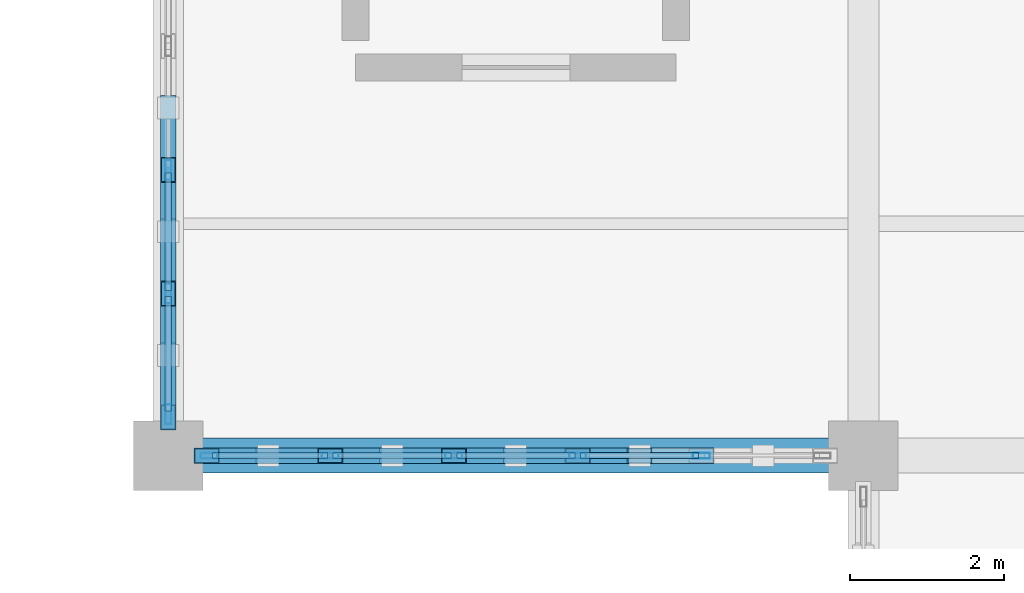
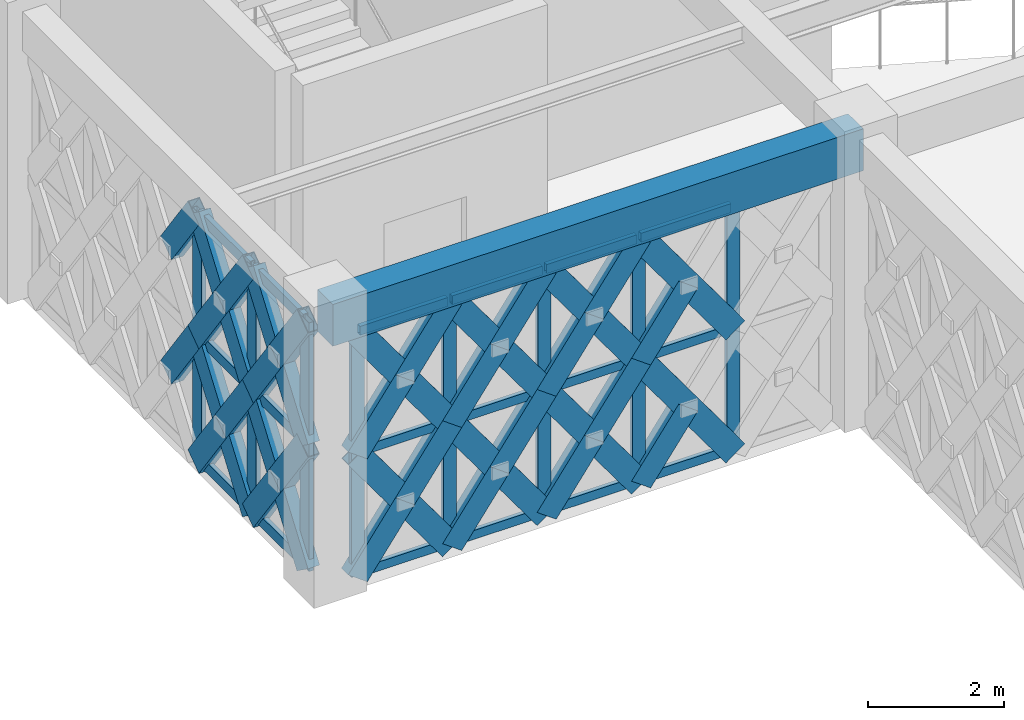
# One storey, part 62 of 155: 62 members, 1 beam, 2 elements without a shape of their own.
"""IFC4 building model written with IfcOpenShell, lengths in metres."""

from ifc_helpers import new_model, si_unit, direction, frame, origin, origin_2d, place, context, subcontext, project, spatial, rectangle, hollow_rectangle, extrude, material, material_profile, profile_set, type_object, element, aggregate, save


model = new_model("IFC4")

# Units and contexts
model_context = context("Model", 3, precision=1e-05, world=origin(), true_north=direction((0.0, 1.0)))
body_context = subcontext(model_context, "Body", "Model", "MODEL_VIEW")
ifc_project = project(units=[si_unit("LENGTHUNIT", "METRE"), si_unit("AREAUNIT", "SQUARE_METRE"), si_unit("VOLUMEUNIT", "CUBIC_METRE"), si_unit("PLANEANGLEUNIT", "RADIAN"), si_unit("MASSUNIT", "GRAM", prefix="KILO")], contexts=[model_context])

# Site, building, storey
site_placement = place(None, origin())
site = spatial("IfcSite", under=ifc_project, at=site_placement, CompositionType="ELEMENT")
building_placement = place(site_placement, origin())
building = spatial("IfcBuilding", under=site, at=building_placement, Name="Haizhuo Lancet Aquarium", CompositionType="ELEMENT")
storey_placement = place(building_placement, frame((0.0, 0.0, 10.800048828125)))
storey = spatial("IfcBuildingStorey", under=building, at=storey_placement, Name="L02", CompositionType="ELEMENT", Elevation=10.800048828125)

# Beam
ifc_material_1 = material(Name="Concrete C40/50", Category="concrete")
ifc_material_profile_1 = material_profile(ifc_material_1, rectangle(XDim=0.449951171875, YDim=0.75, at=origin_2d()), Name="RC-BM 450x750")
ifc_profile_set_1 = profile_set([ifc_material_profile_1], Name="Concrete C40/50")
beam_type = type_object("IfcBeamType", Name="BM-RC-450x750", PredefinedType="BEAM", material=ifc_profile_set_1)
beam_placement = place(storey_placement, frame((-27.0, 36.0, 4.784912109375), z_axis=(1.0, 0.0, 0.0), x_axis=(0.0, 1.0, 0.0)))
element("IfcBeam", 1, at=beam_placement, inside=storey, type_object=beam_type, Name="L02 V5 primary girder BM-L02-V5-002", PredefinedType="BEAM", context=body_context, shape_type="SweptSolid", body=[
    extrude(rectangle(XDim=0.449951171875, YDim=0.75, at=origin_2d()), origin(), (0.0, 0.0, 1.0), 9.0),
])

# Curtain wall, members
ifc_material_2 = material(Name="Aluminium 6063-T6", Category="aluminium")
curtain_wall_type_1 = type_object("IfcCurtainWallType", Name="CWD-8010x4410", PredefinedType="NOTDEFINED", material=ifc_material_2)
curtain_wall_1_placement = place(storey_placement, origin())
curtain_wall_1 = element("IfcCurtainWall", 2, at=curtain_wall_1_placement, inside=storey, type_object=curtain_wall_type_1, Name="L02 curtain wall CW-V5-L02-143", PredefinedType="NOTDEFINED")
ifc_material_profile_2 = material_profile(ifc_material_2, hollow_rectangle(XDim=0.074951171875, YDim=0.219970703125, WallThickness=0.0048828125, at=origin_2d()), Name="ALU-M 75x220x5")
ifc_profile_set_2 = profile_set([ifc_material_profile_2], Name="Aluminium 6063-T6")
member_type_1 = type_object("IfcMemberType", Name="CW-MUL-2", PredefinedType="MULLION", material=ifc_profile_set_2)
member_1_placement = place(storey_placement, frame((-20.096923828125, 36.0, 0.0), z_axis=(0.0, 0.0, 1.0), x_axis=(0.0, -1.0, 0.0)))
member_1 = element("IfcMember", 3, at=member_1_placement, type_object=member_type_1, Name="CWD-80x44 mullion 2", PredefinedType="MULLION", context=body_context, shape_type="SweptSolid", body=[
    extrude(hollow_rectangle(XDim=0.074951171875, YDim=0.219970703125, WallThickness=0.0048828125, at=origin_2d()), origin(), (0.0, 0.0, 1.0), 4.409912109375),
])
member_2_placement = place(storey_placement, frame((-21.698974609375, 36.0, 0.0), z_axis=(0.0, 0.0, 1.0), x_axis=(0.0, -1.0, 0.0)))
member_2 = element("IfcMember", 4, at=member_2_placement, type_object=member_type_1, Name="CWD-80x44 mullion 3", PredefinedType="MULLION", context=body_context, shape_type="SweptSolid", body=[
    extrude(hollow_rectangle(XDim=0.074951171875, YDim=0.219970703125, WallThickness=0.0048828125, at=origin_2d()), origin(), (0.0, 0.0, 1.0), 4.409912109375),
])
member_3_placement = place(storey_placement, frame((-23.301025390625, 36.0, 0.0), z_axis=(0.0, 0.0, 1.0), x_axis=(0.0, -1.0, 0.0)))
member_3 = element("IfcMember", 5, at=member_3_placement, type_object=member_type_1, Name="CWD-80x44 mullion 4", PredefinedType="MULLION", context=body_context, shape_type="SweptSolid", body=[
    extrude(hollow_rectangle(XDim=0.074951171875, YDim=0.219970703125, WallThickness=0.0048828125, at=origin_2d()), origin(), (0.0, 0.0, 1.0), 4.409912109375),
])
member_4_placement = place(storey_placement, frame((-24.903076171875, 36.0, 0.0), z_axis=(0.0, 0.0, 1.0), x_axis=(0.0, -1.0, 0.0)))
member_4 = element("IfcMember", 6, at=member_4_placement, type_object=member_type_1, Name="CWD-80x44 mullion 5", PredefinedType="MULLION", context=body_context, shape_type="SweptSolid", body=[
    extrude(hollow_rectangle(XDim=0.074951171875, YDim=0.219970703125, WallThickness=0.0048828125, at=origin_2d()), origin(), (0.0, 0.0, 1.0), 4.409912109375),
])
member_5_placement = place(storey_placement, frame((-26.468017578125, 36.0, 0.0), z_axis=(0.0, 0.0, 1.0), x_axis=(0.0, -1.0, 0.0)))
member_5 = element("IfcMember", 7, at=member_5_placement, type_object=member_type_1, Name="CWD-80x44 mullion 6", PredefinedType="MULLION", context=body_context, shape_type="SweptSolid", body=[
    extrude(hollow_rectangle(XDim=0.074951171875, YDim=0.219970703125, WallThickness=0.0048828125, at=origin_2d()), origin(), (0.0, 0.0, 1.0), 4.409912109375),
])

curtain_wall_type_2 = type_object("IfcCurtainWallType", Name="CWD-8010x4460", PredefinedType="NOTDEFINED", material=ifc_material_2)
curtain_wall_2_placement = place(storey_placement, origin())
curtain_wall_2 = element("IfcCurtainWall", 8, at=curtain_wall_2_placement, inside=storey, type_object=curtain_wall_type_2, Name="L02 curtain wall CW-V5-L02-144", PredefinedType="NOTDEFINED")
ifc_material_profile_3 = material_profile(ifc_material_2, hollow_rectangle(XDim=0.080078125, YDim=0.260009765625, WallThickness=0.0048828125, at=origin_2d()), Name="ALU-M 80x260x5")
ifc_profile_set_3 = profile_set([ifc_material_profile_3], Name="Aluminium 6063-T6")
member_type_2 = type_object("IfcMemberType", Name="CW-MUL-3", PredefinedType="MULLION", material=ifc_profile_set_3)
member_6_placement = place(storey_placement, frame((-27.0, 36.534912109375, 0.0), z_axis=(0.0, 0.0, 1.0), x_axis=(-1.0, 0.0, 0.0)))
member_6 = element("IfcMember", 9, at=member_6_placement, type_object=member_type_2, Name="CWD-80x44 mullion 1", PredefinedType="MULLION", context=body_context, shape_type="SweptSolid", body=[
    extrude(hollow_rectangle(XDim=0.080078125, YDim=0.260009765625, WallThickness=0.0048828125, at=origin_2d()), origin(), (0.0, 0.0, 1.0), 4.4599609375),
])
member_7_placement = place(storey_placement, frame((-27.0, 38.096923828125, 0.0), z_axis=(0.0, 0.0, 1.0), x_axis=(-1.0, 0.0, 0.0)))
member_7 = element("IfcMember", 10, at=member_7_placement, type_object=member_type_2, Name="CWD-80x44 mullion 2", PredefinedType="MULLION", context=body_context, shape_type="SweptSolid", body=[
    extrude(hollow_rectangle(XDim=0.080078125, YDim=0.260009765625, WallThickness=0.0048828125, at=origin_2d()), origin(), (0.0, 0.0, 1.0), 4.4599609375),
])
member_8_placement = place(storey_placement, frame((-27.0, 39.698974609375, 0.0), z_axis=(0.0, 0.0, 1.0), x_axis=(-1.0, 0.0, 0.0)))
member_8 = element("IfcMember", 11, at=member_8_placement, type_object=member_type_2, Name="CWD-80x44 mullion 3", PredefinedType="MULLION", context=body_context, shape_type="SweptSolid", body=[
    extrude(hollow_rectangle(XDim=0.080078125, YDim=0.260009765625, WallThickness=0.0048828125, at=origin_2d()), origin(), (0.0, 0.0, 1.0), 4.4599609375),
])

# Member
ifc_material_profile_4 = material_profile(ifc_material_2, hollow_rectangle(XDim=0.074951171875, YDim=0.159912109375, WallThickness=0.00390625, at=origin_2d()), Name="ALU-T 75x160x4")
ifc_profile_set_4 = profile_set([ifc_material_profile_4], Name="Aluminium 6063-T6")
member_type_3 = type_object("IfcMemberType", Name="CW-TRN-2", PredefinedType="NOTDEFINED", material=ifc_profile_set_4)
member_9_placement = place(storey_placement, frame((-20.134033203125, 36.0, 0.037841796875), z_axis=(-1.0, 0.0, 0.0), x_axis=(0.0, -1.0, 0.0)))
member_9 = element("IfcMember", 12, at=member_9_placement, type_object=member_type_3, Name="CWD-80x44 transom 2.1", ObjectType="TRANSOM", PredefinedType="USERDEFINED", context=body_context, shape_type="SweptSolid", body=[
    extrude(hollow_rectangle(XDim=0.074951171875, YDim=0.159912109375, WallThickness=0.00390625, at=origin_2d()), origin(), (0.0, 0.0, 1.0), 1.528076171875),
])

member_10_placement = place(storey_placement, frame((-20.134033203125, 36.0, 2.204833984375), z_axis=(-1.0, 0.0, 0.0), x_axis=(0.0, -1.0, 0.0)))
member_10 = element("IfcMember", 13, at=member_10_placement, type_object=member_type_3, Name="CWD-80x44 transom 2.2", ObjectType="TRANSOM", PredefinedType="USERDEFINED", context=body_context, shape_type="SweptSolid", body=[
    extrude(hollow_rectangle(XDim=0.074951171875, YDim=0.159912109375, WallThickness=0.00390625, at=origin_2d()), origin(), (0.0, 0.0, 1.0), 1.528076171875),
])

member_11_placement = place(storey_placement, frame((-20.134033203125, 36.0, 4.373046875), z_axis=(-1.0, 0.0, 0.0), x_axis=(0.0, -1.0, 0.0)))
member_11 = element("IfcMember", 14, at=member_11_placement, type_object=member_type_3, Name="CWD-80x44 transom 2.3", ObjectType="TRANSOM", PredefinedType="USERDEFINED", context=body_context, shape_type="SweptSolid", body=[
    extrude(hollow_rectangle(XDim=0.074951171875, YDim=0.159912109375, WallThickness=0.00390625, at=origin_2d()), origin(), (0.0, 0.0, 1.0), 1.528076171875),
])

member_12_placement = place(storey_placement, frame((-21.736083984375, 36.0, 0.037841796875), z_axis=(-1.0, 0.0, 0.0), x_axis=(0.0, -1.0, 0.0)))
member_12 = element("IfcMember", 15, at=member_12_placement, type_object=member_type_3, Name="CWD-80x44 transom 3.1", ObjectType="TRANSOM", PredefinedType="USERDEFINED", context=body_context, shape_type="SweptSolid", body=[
    extrude(hollow_rectangle(XDim=0.074951171875, YDim=0.159912109375, WallThickness=0.00390625, at=origin_2d()), origin(), (0.0, 0.0, 1.0), 1.52783203125),
])

member_13_placement = place(storey_placement, frame((-21.736083984375, 36.0, 2.204833984375), z_axis=(-1.0, 0.0, 0.0), x_axis=(0.0, -1.0, 0.0)))
member_13 = element("IfcMember", 16, at=member_13_placement, type_object=member_type_3, Name="CWD-80x44 transom 3.2", ObjectType="TRANSOM", PredefinedType="USERDEFINED", context=body_context, shape_type="SweptSolid", body=[
    extrude(hollow_rectangle(XDim=0.074951171875, YDim=0.159912109375, WallThickness=0.00390625, at=origin_2d()), origin(), (0.0, 0.0, 1.0), 1.52783203125),
])

member_14_placement = place(storey_placement, frame((-21.736083984375, 36.0, 4.373046875), z_axis=(-1.0, 0.0, 0.0), x_axis=(0.0, -1.0, 0.0)))
member_14 = element("IfcMember", 17, at=member_14_placement, type_object=member_type_3, Name="CWD-80x44 transom 3.3", ObjectType="TRANSOM", PredefinedType="USERDEFINED", context=body_context, shape_type="SweptSolid", body=[
    extrude(hollow_rectangle(XDim=0.074951171875, YDim=0.159912109375, WallThickness=0.00390625, at=origin_2d()), origin(), (0.0, 0.0, 1.0), 1.52783203125),
])

member_15_placement = place(storey_placement, frame((-23.337890625, 36.0, 0.037841796875), z_axis=(-1.0, 0.0, 0.0), x_axis=(0.0, -1.0, 0.0)))
member_15 = element("IfcMember", 18, at=member_15_placement, type_object=member_type_3, Name="CWD-80x44 transom 4.1", ObjectType="TRANSOM", PredefinedType="USERDEFINED", context=body_context, shape_type="SweptSolid", body=[
    extrude(hollow_rectangle(XDim=0.074951171875, YDim=0.159912109375, WallThickness=0.00390625, at=origin_2d()), origin(), (0.0, 0.0, 1.0), 1.528076171875),
])

member_16_placement = place(storey_placement, frame((-23.337890625, 36.0, 2.204833984375), z_axis=(-1.0, 0.0, 0.0), x_axis=(0.0, -1.0, 0.0)))
member_16 = element("IfcMember", 19, at=member_16_placement, type_object=member_type_3, Name="CWD-80x44 transom 4.2", ObjectType="TRANSOM", PredefinedType="USERDEFINED", context=body_context, shape_type="SweptSolid", body=[
    extrude(hollow_rectangle(XDim=0.074951171875, YDim=0.159912109375, WallThickness=0.00390625, at=origin_2d()), origin(), (0.0, 0.0, 1.0), 1.528076171875),
])

member_17_placement = place(storey_placement, frame((-23.337890625, 36.0, 4.373046875), z_axis=(-1.0, 0.0, 0.0), x_axis=(0.0, -1.0, 0.0)))
member_17 = element("IfcMember", 20, at=member_17_placement, type_object=member_type_3, Name="CWD-80x44 transom 4.3", ObjectType="TRANSOM", PredefinedType="USERDEFINED", context=body_context, shape_type="SweptSolid", body=[
    extrude(hollow_rectangle(XDim=0.074951171875, YDim=0.159912109375, WallThickness=0.00390625, at=origin_2d()), origin(), (0.0, 0.0, 1.0), 1.528076171875),
])

member_18_placement = place(storey_placement, frame((-24.94091796875, 36.0, 0.037841796875), z_axis=(-1.0, 0.0, 0.0), x_axis=(0.0, -1.0, 0.0)))
member_18 = element("IfcMember", 21, at=member_18_placement, type_object=member_type_3, Name="CWD-80x44 transom 5.1", ObjectType="TRANSOM", PredefinedType="USERDEFINED", context=body_context, shape_type="SweptSolid", body=[
    extrude(hollow_rectangle(XDim=0.074951171875, YDim=0.159912109375, WallThickness=0.00390625, at=origin_2d()), origin(), (0.0, 0.0, 1.0), 1.489013671875),
])

member_19_placement = place(storey_placement, frame((-24.94091796875, 36.0, 2.204833984375), z_axis=(-1.0, 0.0, 0.0), x_axis=(0.0, -1.0, 0.0)))
member_19 = element("IfcMember", 22, at=member_19_placement, type_object=member_type_3, Name="CWD-80x44 transom 5.2", ObjectType="TRANSOM", PredefinedType="USERDEFINED", context=body_context, shape_type="SweptSolid", body=[
    extrude(hollow_rectangle(XDim=0.074951171875, YDim=0.159912109375, WallThickness=0.00390625, at=origin_2d()), origin(), (0.0, 0.0, 1.0), 1.489013671875),
])

member_20_placement = place(storey_placement, frame((-24.94091796875, 36.0, 4.373046875), z_axis=(-1.0, 0.0, 0.0), x_axis=(0.0, -1.0, 0.0)))
member_20 = element("IfcMember", 23, at=member_20_placement, type_object=member_type_3, Name="CWD-80x44 transom 5.3", ObjectType="TRANSOM", PredefinedType="USERDEFINED", context=body_context, shape_type="SweptSolid", body=[
    extrude(hollow_rectangle(XDim=0.074951171875, YDim=0.159912109375, WallThickness=0.00390625, at=origin_2d()), origin(), (0.0, 0.0, 1.0), 1.489013671875),
])

aggregate(curtain_wall_1, [member_1, member_2, member_3, member_4, member_5, member_9, member_10, member_11, member_12, member_13, member_14, member_15, member_16, member_17, member_18, member_19, member_20])

ifc_material_profile_5 = material_profile(ifc_material_2, hollow_rectangle(XDim=0.080078125, YDim=0.18994140625, WallThickness=0.0048828125, at=origin_2d()), Name="ALU-T 80x190x5")
ifc_profile_set_5 = profile_set([ifc_material_profile_5], Name="Aluminium 6063-T6")
member_type_4 = type_object("IfcMemberType", Name="CW-TRN-3", PredefinedType="NOTDEFINED", material=ifc_profile_set_5)
member_21_placement = place(storey_placement, frame((-27.0, 36.574951171875, 0.0400390625), z_axis=(0.0, 1.0, 0.0), x_axis=(-1.0, 0.0, 0.0)))
member_21 = element("IfcMember", 24, at=member_21_placement, type_object=member_type_4, Name="CWD-80x44 transom 1.1", ObjectType="TRANSOM", PredefinedType="USERDEFINED", context=body_context, shape_type="SweptSolid", body=[
    extrude(hollow_rectangle(XDim=0.080078125, YDim=0.18994140625, WallThickness=0.0048828125, at=origin_2d()), origin(), (0.0, 0.0, 1.0), 1.48193359375),
])

member_22_placement = place(storey_placement, frame((-27.0, 36.574951171875, 2.22998046875), z_axis=(0.0, 1.0, 0.0), x_axis=(-1.0, 0.0, 0.0)))
member_22 = element("IfcMember", 25, at=member_22_placement, type_object=member_type_4, Name="CWD-80x44 transom 1.2", ObjectType="TRANSOM", PredefinedType="USERDEFINED", context=body_context, shape_type="SweptSolid", body=[
    extrude(hollow_rectangle(XDim=0.080078125, YDim=0.18994140625, WallThickness=0.0048828125, at=origin_2d()), origin(), (0.0, 0.0, 1.0), 1.48193359375),
])

member_23_placement = place(storey_placement, frame((-27.0, 36.574951171875, 4.419921875), z_axis=(0.0, 1.0, 0.0), x_axis=(-1.0, 0.0, 0.0)))
member_23 = element("IfcMember", 26, at=member_23_placement, type_object=member_type_4, Name="CWD-80x44 transom 1.3", ObjectType="TRANSOM", PredefinedType="USERDEFINED", context=body_context, shape_type="SweptSolid", body=[
    extrude(hollow_rectangle(XDim=0.080078125, YDim=0.18994140625, WallThickness=0.0048828125, at=origin_2d()), origin(), (0.0, 0.0, 1.0), 1.48193359375),
])

member_24_placement = place(storey_placement, frame((-27.0, 38.136962890625, 0.0400390625), z_axis=(0.0, 1.0, 0.0), x_axis=(-1.0, 0.0, 0.0)))
member_24 = element("IfcMember", 27, at=member_24_placement, type_object=member_type_4, Name="CWD-80x44 transom 2.1", ObjectType="TRANSOM", PredefinedType="USERDEFINED", context=body_context, shape_type="SweptSolid", body=[
    extrude(hollow_rectangle(XDim=0.080078125, YDim=0.18994140625, WallThickness=0.0048828125, at=origin_2d()), origin(), (0.0, 0.0, 1.0), 1.52197265625),
])

member_25_placement = place(storey_placement, frame((-27.0, 38.136962890625, 2.22998046875), z_axis=(0.0, 1.0, 0.0), x_axis=(-1.0, 0.0, 0.0)))
member_25 = element("IfcMember", 28, at=member_25_placement, type_object=member_type_4, Name="CWD-80x44 transom 2.2", ObjectType="TRANSOM", PredefinedType="USERDEFINED", context=body_context, shape_type="SweptSolid", body=[
    extrude(hollow_rectangle(XDim=0.080078125, YDim=0.18994140625, WallThickness=0.0048828125, at=origin_2d()), origin(), (0.0, 0.0, 1.0), 1.52197265625),
])

member_26_placement = place(storey_placement, frame((-27.0, 38.136962890625, 4.419921875), z_axis=(0.0, 1.0, 0.0), x_axis=(-1.0, 0.0, 0.0)))
member_26 = element("IfcMember", 29, at=member_26_placement, type_object=member_type_4, Name="CWD-80x44 transom 2.3", ObjectType="TRANSOM", PredefinedType="USERDEFINED", context=body_context, shape_type="SweptSolid", body=[
    extrude(hollow_rectangle(XDim=0.080078125, YDim=0.18994140625, WallThickness=0.0048828125, at=origin_2d()), origin(), (0.0, 0.0, 1.0), 1.52197265625),
])

aggregate(curtain_wall_2, [member_6, member_7, member_8, member_21, member_22, member_23, member_24, member_25, member_26])

# Members
ifc_material_3 = material(Name="Steel S355", Category="steel")
ifc_material_profile_6 = material_profile(ifc_material_3, hollow_rectangle(XDim=0.199951171875, YDim=0.39990234375, WallThickness=0.011962890625, at=origin_2d()), Name="RHS 200x400x12")
ifc_profile_set_6 = profile_set([ifc_material_profile_6], Name="Steel S355")
member_type_5 = type_object("IfcMemberType", Name="MEM-LB-RHS200x400", PredefinedType="BRACE", material=ifc_profile_set_6)
member_27_placement = place(storey_placement, frame((-20.096923828125, 36.0, 0.0), z_axis=(-0.587820103443, 0.0, 0.808991672385), x_axis=(0.0, -1.0, 0.0)))
element("IfcMember", 30, at=member_27_placement, inside=storey, type_object=member_type_5, Name="Gothic lancet continuous diagonal brace CW-V5-L02-143 3A", PredefinedType="BRACE", context=body_context, shape_type="SweptSolid", body=[
    extrude(hollow_rectangle(XDim=0.199951171875, YDim=0.39990234375, WallThickness=0.011962890625, at=origin_2d()), origin(), (0.0, 0.0, 1.0), 2.725341796875),
])
member_28_placement = place(storey_placement, frame((-21.698974609375, 36.0, 0.0), z_axis=(0.587947920096, 0.0, 0.808898784308), x_axis=(0.0, 1.0, 0.0)))
element("IfcMember", 31, at=member_28_placement, inside=storey, type_object=member_type_5, Name="Gothic lancet split diagonal brace CW-V5-L02-143 3B1", PredefinedType="BRACE", context=body_context, shape_type="SweptSolid", body=[
    extrude(hollow_rectangle(XDim=0.199951171875, YDim=0.39990234375, WallThickness=0.011962890625, at=origin_2d()), origin(), (0.0, 0.0, 1.0), 1.3623046875),
])
member_29_placement = place(storey_placement, frame((-20.096923828125, 36.0, 2.204833984375), z_axis=(-0.587777506981, 0.0, 0.809022621617), x_axis=(0.0, -1.0, 0.0)))
element("IfcMember", 32, at=member_29_placement, inside=storey, type_object=member_type_5, Name="Gothic lancet continuous diagonal brace CW-V5-L02-143 4A", PredefinedType="BRACE", context=body_context, shape_type="SweptSolid", body=[
    extrude(hollow_rectangle(XDim=0.199951171875, YDim=0.39990234375, WallThickness=0.011962890625, at=origin_2d()), origin(), (0.0, 0.0, 1.0), 2.7255859375),
])
member_30_placement = place(storey_placement, frame((-21.698974609375, 36.0, 2.204833984375), z_axis=(0.58760716657, 0.0, 0.809146351284), x_axis=(0.0, 1.0, 0.0)))
element("IfcMember", 33, at=member_30_placement, inside=storey, type_object=member_type_5, Name="Gothic lancet split diagonal brace CW-V5-L02-143 4B1", PredefinedType="BRACE", context=body_context, shape_type="SweptSolid", body=[
    extrude(hollow_rectangle(XDim=0.199951171875, YDim=0.39990234375, WallThickness=0.011962890625, at=origin_2d()), origin(), (0.0, 0.0, 1.0), 1.36328125),
])
member_31_placement = place(storey_placement, frame((-21.698974609375, 36.0, 0.0), z_axis=(-0.587820103443, 0.0, 0.808991672385), x_axis=(0.0, -1.0, 0.0)))
element("IfcMember", 34, at=member_31_placement, inside=storey, type_object=member_type_5, Name="Gothic lancet continuous diagonal brace CW-V5-L02-143 5A", PredefinedType="BRACE", context=body_context, shape_type="SweptSolid", body=[
    extrude(hollow_rectangle(XDim=0.199951171875, YDim=0.39990234375, WallThickness=0.011962890625, at=origin_2d()), origin(), (0.0, 0.0, 1.0), 2.725341796875),
])
member_32_placement = place(storey_placement, frame((-23.301025390625, 36.0, 0.0), z_axis=(0.587947920096, 0.0, 0.808898784308), x_axis=(0.0, 1.0, 0.0)))
element("IfcMember", 35, at=member_32_placement, inside=storey, type_object=member_type_5, Name="Gothic lancet split diagonal brace CW-V5-L02-143 5B1", PredefinedType="BRACE", context=body_context, shape_type="SweptSolid", body=[
    extrude(hollow_rectangle(XDim=0.199951171875, YDim=0.39990234375, WallThickness=0.011962890625, at=origin_2d()), origin(), (0.0, 0.0, 1.0), 1.3623046875),
])
member_33_placement = place(storey_placement, frame((-22.5, 36.0, 1.10205078125), z_axis=(0.587692327688, 0.0, 0.809084499899), x_axis=(0.0, 1.0, 0.0)))
element("IfcMember", 36, at=member_33_placement, inside=storey, type_object=member_type_5, Name="Gothic lancet split diagonal brace CW-V5-L02-143 5B2", PredefinedType="BRACE", context=body_context, shape_type="SweptSolid", body=[
    extrude(hollow_rectangle(XDim=0.199951171875, YDim=0.39990234375, WallThickness=0.011962890625, at=origin_2d()), origin(), (0.0, 0.0, 1.0), 1.363037109375),
])
member_34_placement = place(storey_placement, frame((-21.698974609375, 36.0, 2.204833984375), z_axis=(-0.587777506981, 0.0, 0.809022621617), x_axis=(0.0, -1.0, 0.0)))
element("IfcMember", 37, at=member_34_placement, inside=storey, type_object=member_type_5, Name="Gothic lancet continuous diagonal brace CW-V5-L02-143 6A", PredefinedType="BRACE", context=body_context, shape_type="SweptSolid", body=[
    extrude(hollow_rectangle(XDim=0.199951171875, YDim=0.39990234375, WallThickness=0.011962890625, at=origin_2d()), origin(), (0.0, 0.0, 1.0), 2.7255859375),
])
member_35_placement = place(storey_placement, frame((-23.301025390625, 36.0, 2.204833984375), z_axis=(0.58760716657, 0.0, 0.809146351284), x_axis=(0.0, 1.0, 0.0)))
element("IfcMember", 38, at=member_35_placement, inside=storey, type_object=member_type_5, Name="Gothic lancet split diagonal brace CW-V5-L02-143 6B1", PredefinedType="BRACE", context=body_context, shape_type="SweptSolid", body=[
    extrude(hollow_rectangle(XDim=0.199951171875, YDim=0.39990234375, WallThickness=0.011962890625, at=origin_2d()), origin(), (0.0, 0.0, 1.0), 1.36328125),
])
member_36_placement = place(storey_placement, frame((-22.5, 36.0, 3.307861328125), z_axis=(0.587947920096, 0.0, 0.808898784308), x_axis=(0.0, 1.0, 0.0)))
element("IfcMember", 39, at=member_36_placement, inside=storey, type_object=member_type_5, Name="Gothic lancet split diagonal brace CW-V5-L02-143 6B2", PredefinedType="BRACE", context=body_context, shape_type="SweptSolid", body=[
    extrude(hollow_rectangle(XDim=0.199951171875, YDim=0.39990234375, WallThickness=0.011962890625, at=origin_2d()), origin(), (0.0, 0.0, 1.0), 1.3623046875),
])
member_37_placement = place(storey_placement, frame((-23.301025390625, 36.0, 0.0), z_axis=(-0.587820103443, 0.0, 0.808991672385), x_axis=(0.0, -1.0, 0.0)))
element("IfcMember", 40, at=member_37_placement, inside=storey, type_object=member_type_5, Name="Gothic lancet continuous diagonal brace CW-V5-L02-143 7A", PredefinedType="BRACE", context=body_context, shape_type="SweptSolid", body=[
    extrude(hollow_rectangle(XDim=0.199951171875, YDim=0.39990234375, WallThickness=0.011962890625, at=origin_2d()), origin(), (0.0, 0.0, 1.0), 2.725341796875),
])
member_38_placement = place(storey_placement, frame((-24.903076171875, 36.0, 0.0), z_axis=(0.587947920096, 0.0, 0.808898784308), x_axis=(0.0, 1.0, 0.0)))
element("IfcMember", 41, at=member_38_placement, inside=storey, type_object=member_type_5, Name="Gothic lancet split diagonal brace CW-V5-L02-143 7B1", PredefinedType="BRACE", context=body_context, shape_type="SweptSolid", body=[
    extrude(hollow_rectangle(XDim=0.199951171875, YDim=0.39990234375, WallThickness=0.011962890625, at=origin_2d()), origin(), (0.0, 0.0, 1.0), 1.3623046875),
])
member_39_placement = place(storey_placement, frame((-24.10205078125, 36.0, 1.10205078125), z_axis=(0.587692327688, 0.0, 0.809084499899), x_axis=(0.0, 1.0, 0.0)))
element("IfcMember", 42, at=member_39_placement, inside=storey, type_object=member_type_5, Name="Gothic lancet split diagonal brace CW-V5-L02-143 7B2", PredefinedType="BRACE", context=body_context, shape_type="SweptSolid", body=[
    extrude(hollow_rectangle(XDim=0.199951171875, YDim=0.39990234375, WallThickness=0.011962890625, at=origin_2d()), origin(), (0.0, 0.0, 1.0), 1.363037109375),
])
member_40_placement = place(storey_placement, frame((-23.301025390625, 36.0, 2.204833984375), z_axis=(-0.587777506981, 0.0, 0.809022621617), x_axis=(0.0, -1.0, 0.0)))
element("IfcMember", 43, at=member_40_placement, inside=storey, type_object=member_type_5, Name="Gothic lancet continuous diagonal brace CW-V5-L02-143 8A", PredefinedType="BRACE", context=body_context, shape_type="SweptSolid", body=[
    extrude(hollow_rectangle(XDim=0.199951171875, YDim=0.39990234375, WallThickness=0.011962890625, at=origin_2d()), origin(), (0.0, 0.0, 1.0), 2.7255859375),
])
member_41_placement = place(storey_placement, frame((-24.903076171875, 36.0, 2.204833984375), z_axis=(0.58760716657, 0.0, 0.809146351284), x_axis=(0.0, 1.0, 0.0)))
element("IfcMember", 44, at=member_41_placement, inside=storey, type_object=member_type_5, Name="Gothic lancet split diagonal brace CW-V5-L02-143 8B1", PredefinedType="BRACE", context=body_context, shape_type="SweptSolid", body=[
    extrude(hollow_rectangle(XDim=0.199951171875, YDim=0.39990234375, WallThickness=0.011962890625, at=origin_2d()), origin(), (0.0, 0.0, 1.0), 1.36328125),
])
member_42_placement = place(storey_placement, frame((-24.10205078125, 36.0, 3.307861328125), z_axis=(0.587947920096, 0.0, 0.808898784308), x_axis=(0.0, 1.0, 0.0)))
element("IfcMember", 45, at=member_42_placement, inside=storey, type_object=member_type_5, Name="Gothic lancet split diagonal brace CW-V5-L02-143 8B2", PredefinedType="BRACE", context=body_context, shape_type="SweptSolid", body=[
    extrude(hollow_rectangle(XDim=0.199951171875, YDim=0.39990234375, WallThickness=0.011962890625, at=origin_2d()), origin(), (0.0, 0.0, 1.0), 1.3623046875),
])
member_43_placement = place(storey_placement, frame((-24.903076171875, 36.0, 0.0), z_axis=(-0.587761471996, 0.0, 0.809034271238), x_axis=(0.0, -1.0, 0.0)))
element("IfcMember", 46, at=member_43_placement, inside=storey, type_object=member_type_5, Name="Gothic lancet continuous diagonal brace CW-V5-L02-143 9A", PredefinedType="BRACE", context=body_context, shape_type="SweptSolid", body=[
    extrude(hollow_rectangle(XDim=0.199951171875, YDim=0.39990234375, WallThickness=0.011962890625, at=origin_2d()), origin(), (0.0, 0.0, 1.0), 2.725341796875),
])
member_44_placement = place(storey_placement, frame((-26.5048828125, 36.0, 0.0), z_axis=(0.587830649366, 0.0, 0.808984009524), x_axis=(0.0, 1.0, 0.0)))
element("IfcMember", 47, at=member_44_placement, inside=storey, type_object=member_type_5, Name="Gothic lancet split diagonal brace CW-V5-L02-143 9B1", PredefinedType="BRACE", context=body_context, shape_type="SweptSolid", body=[
    extrude(hollow_rectangle(XDim=0.199951171875, YDim=0.39990234375, WallThickness=0.011962890625, at=origin_2d()), origin(), (0.0, 0.0, 1.0), 1.3623046875),
])
member_45_placement = place(storey_placement, frame((-25.7041015625, 36.0, 1.10205078125), z_axis=(0.587692327688, 0.0, 0.809084499899), x_axis=(0.0, 1.0, 0.0)))
element("IfcMember", 48, at=member_45_placement, inside=storey, type_object=member_type_5, Name="Gothic lancet split diagonal brace CW-V5-L02-143 9B2", PredefinedType="BRACE", context=body_context, shape_type="SweptSolid", body=[
    extrude(hollow_rectangle(XDim=0.199951171875, YDim=0.39990234375, WallThickness=0.011962890625, at=origin_2d()), origin(), (0.0, 0.0, 1.0), 1.363037109375),
])
member_46_placement = place(storey_placement, frame((-24.903076171875, 36.0, 2.204833984375), z_axis=(-0.587718875297, 0.0, 0.809065215925), x_axis=(0.0, -1.0, 0.0)))
element("IfcMember", 49, at=member_46_placement, inside=storey, type_object=member_type_5, Name="Gothic lancet continuous diagonal brace CW-V5-L02-143 10A", PredefinedType="BRACE", context=body_context, shape_type="SweptSolid", body=[
    extrude(hollow_rectangle(XDim=0.199951171875, YDim=0.39990234375, WallThickness=0.011962890625, at=origin_2d()), origin(), (0.0, 0.0, 1.0), 2.7255859375),
])
member_47_placement = place(storey_placement, frame((-26.5048828125, 36.0, 2.204833984375), z_axis=(0.587489892075, 0.0, 0.809231503779), x_axis=(0.0, 1.0, 0.0)))
element("IfcMember", 50, at=member_47_placement, inside=storey, type_object=member_type_5, Name="Gothic lancet split diagonal brace CW-V5-L02-143 10B1", PredefinedType="BRACE", context=body_context, shape_type="SweptSolid", body=[
    extrude(hollow_rectangle(XDim=0.199951171875, YDim=0.39990234375, WallThickness=0.011962890625, at=origin_2d()), origin(), (0.0, 0.0, 1.0), 1.363037109375),
])
member_48_placement = place(storey_placement, frame((-25.7041015625, 36.0, 3.307861328125), z_axis=(0.587947920096, 0.0, 0.808898784308), x_axis=(0.0, 1.0, 0.0)))
element("IfcMember", 51, at=member_48_placement, inside=storey, type_object=member_type_5, Name="Gothic lancet split diagonal brace CW-V5-L02-143 10B2", PredefinedType="BRACE", context=body_context, shape_type="SweptSolid", body=[
    extrude(hollow_rectangle(XDim=0.199951171875, YDim=0.39990234375, WallThickness=0.011962890625, at=origin_2d()), origin(), (0.0, 0.0, 1.0), 1.3623046875),
])
member_49_placement = place(storey_placement, frame((-27.0, 36.4951171875, 0.0), z_axis=(0.0, 0.583397836814, 0.812186532763), x_axis=(-1.0, 0.0, 0.0)))
element("IfcMember", 52, at=member_49_placement, inside=storey, type_object=member_type_5, Name="Gothic lancet continuous diagonal brace CW-V5-L02-144 1A", PredefinedType="BRACE", context=body_context, shape_type="SweptSolid", body=[
    extrude(hollow_rectangle(XDim=0.199951171875, YDim=0.39990234375, WallThickness=0.011962890625, at=origin_2d()), origin(), (0.0, 0.0, 1.0), 2.74560546875),
])
for number, where, z_axis, x_axis, name in (
    (53, (-27.0, 38.096923828125, 0.0), (0.0, -0.583456487426, 0.81214440051), (1.0, 0.0, 0.0), "Gothic lancet split diagonal brace CW-V5-L02-144 1B1"),
    (54, (-27.0, 37.2958984375, 1.114990234375), (0.0, -0.583339177073, 0.81222866515), (1.0, 0.0, 0.0), "Gothic lancet split diagonal brace CW-V5-L02-144 1B2"),
):
    element("IfcMember", number, at=place(storey_placement, frame(where, z_axis=z_axis, x_axis=x_axis)), inside=storey, type_object=member_type_5, Name=name, PredefinedType="BRACE", context=body_context, shape_type="SweptSolid", body=[
        extrude(hollow_rectangle(XDim=0.199951171875, YDim=0.39990234375, WallThickness=0.011962890625, at=origin_2d()), origin(), (0.0, 0.0, 1.0), 1.372802734375),
    ])
member_50_placement = place(storey_placement, frame((-27.0, 36.4951171875, 2.22998046875), z_axis=(0.0, 0.583397836814, 0.812186532763), x_axis=(-1.0, 0.0, 0.0)))
element("IfcMember", 55, at=member_50_placement, inside=storey, type_object=member_type_5, Name="Gothic lancet continuous diagonal brace CW-V5-L02-144 2A", PredefinedType="BRACE", context=body_context, shape_type="SweptSolid", body=[
    extrude(hollow_rectangle(XDim=0.199951171875, YDim=0.39990234375, WallThickness=0.011962890625, at=origin_2d()), origin(), (0.0, 0.0, 1.0), 2.74560546875),
])
for number, where, z_axis, x_axis, name in (
    (56, (-27.0, 38.096923828125, 2.22998046875), (0.0, -0.583456487426, 0.81214440051), (1.0, 0.0, 0.0), "Gothic lancet split diagonal brace CW-V5-L02-144 2B1"),
    (57, (-27.0, 37.2958984375, 3.344970703125), (0.0, -0.583339177073, 0.81222866515), (1.0, 0.0, 0.0), "Gothic lancet split diagonal brace CW-V5-L02-144 2B2"),
):
    element("IfcMember", number, at=place(storey_placement, frame(where, z_axis=z_axis, x_axis=x_axis)), inside=storey, type_object=member_type_5, Name=name, PredefinedType="BRACE", context=body_context, shape_type="SweptSolid", body=[
        extrude(hollow_rectangle(XDim=0.199951171875, YDim=0.39990234375, WallThickness=0.011962890625, at=origin_2d()), origin(), (0.0, 0.0, 1.0), 1.372802734375),
    ])
member_51_placement = place(storey_placement, frame((-27.0, 38.096923828125, 0.0), z_axis=(0.0, 0.583456487426, 0.81214440051), x_axis=(-1.0, 0.0, 0.0)))
element("IfcMember", 58, at=member_51_placement, inside=storey, type_object=member_type_5, Name="Gothic lancet continuous diagonal brace CW-V5-L02-144 3A", PredefinedType="BRACE", context=body_context, shape_type="SweptSolid", body=[
    extrude(hollow_rectangle(XDim=0.199951171875, YDim=0.39990234375, WallThickness=0.011962890625, at=origin_2d()), origin(), (0.0, 0.0, 1.0), 2.745849609375),
])
for number, where, z_axis, x_axis, name in (
    (59, (-27.0, 39.698974609375, 0.0), (0.0, -0.583456487426, 0.81214440051), (1.0, 0.0, 0.0), "Gothic lancet split diagonal brace CW-V5-L02-144 3B1"),
    (60, (-27.0, 38.89794921875, 1.114990234375), (0.0, -0.583456487426, 0.81214440051), (1.0, 0.0, 0.0), "Gothic lancet split diagonal brace CW-V5-L02-144 3B2"),
):
    element("IfcMember", number, at=place(storey_placement, frame(where, z_axis=z_axis, x_axis=x_axis)), inside=storey, type_object=member_type_5, Name=name, PredefinedType="BRACE", context=body_context, shape_type="SweptSolid", body=[
        extrude(hollow_rectangle(XDim=0.199951171875, YDim=0.39990234375, WallThickness=0.011962890625, at=origin_2d()), origin(), (0.0, 0.0, 1.0), 1.372802734375),
    ])
member_52_placement = place(storey_placement, frame((-27.0, 38.096923828125, 2.22998046875), z_axis=(0.0, 0.583456487426, 0.81214440051), x_axis=(-1.0, 0.0, 0.0)))
element("IfcMember", 61, at=member_52_placement, inside=storey, type_object=member_type_5, Name="Gothic lancet continuous diagonal brace CW-V5-L02-144 4A", PredefinedType="BRACE", context=body_context, shape_type="SweptSolid", body=[
    extrude(hollow_rectangle(XDim=0.199951171875, YDim=0.39990234375, WallThickness=0.011962890625, at=origin_2d()), origin(), (0.0, 0.0, 1.0), 2.745849609375),
])
for number, where, z_axis, x_axis, name in (
    (62, (-27.0, 39.698974609375, 2.22998046875), (0.0, -0.583456487426, 0.81214440051), (1.0, 0.0, 0.0), "Gothic lancet split diagonal brace CW-V5-L02-144 4B1"),
    (63, (-27.0, 38.89794921875, 3.344970703125), (0.0, -0.583456487426, 0.81214440051), (1.0, 0.0, 0.0), "Gothic lancet split diagonal brace CW-V5-L02-144 4B2"),
    (64, (-27.0, 40.5, 1.114990234375), (0.0, -0.583456487426, 0.81214440051), (1.0, 0.0, 0.0), "Gothic lancet split diagonal brace CW-V5-L02-144 5B2"),
    (65, (-27.0, 40.5, 3.344970703125), (0.0, -0.583456487426, 0.81214440051), (1.0, 0.0, 0.0), "Gothic lancet split diagonal brace CW-V5-L02-144 6B2"),
):
    element("IfcMember", number, at=place(storey_placement, frame(where, z_axis=z_axis, x_axis=x_axis)), inside=storey, type_object=member_type_5, Name=name, PredefinedType="BRACE", context=body_context, shape_type="SweptSolid", body=[
        extrude(hollow_rectangle(XDim=0.199951171875, YDim=0.39990234375, WallThickness=0.011962890625, at=origin_2d()), origin(), (0.0, 0.0, 1.0), 1.372802734375),
    ])

save(model, "model.ifc")
